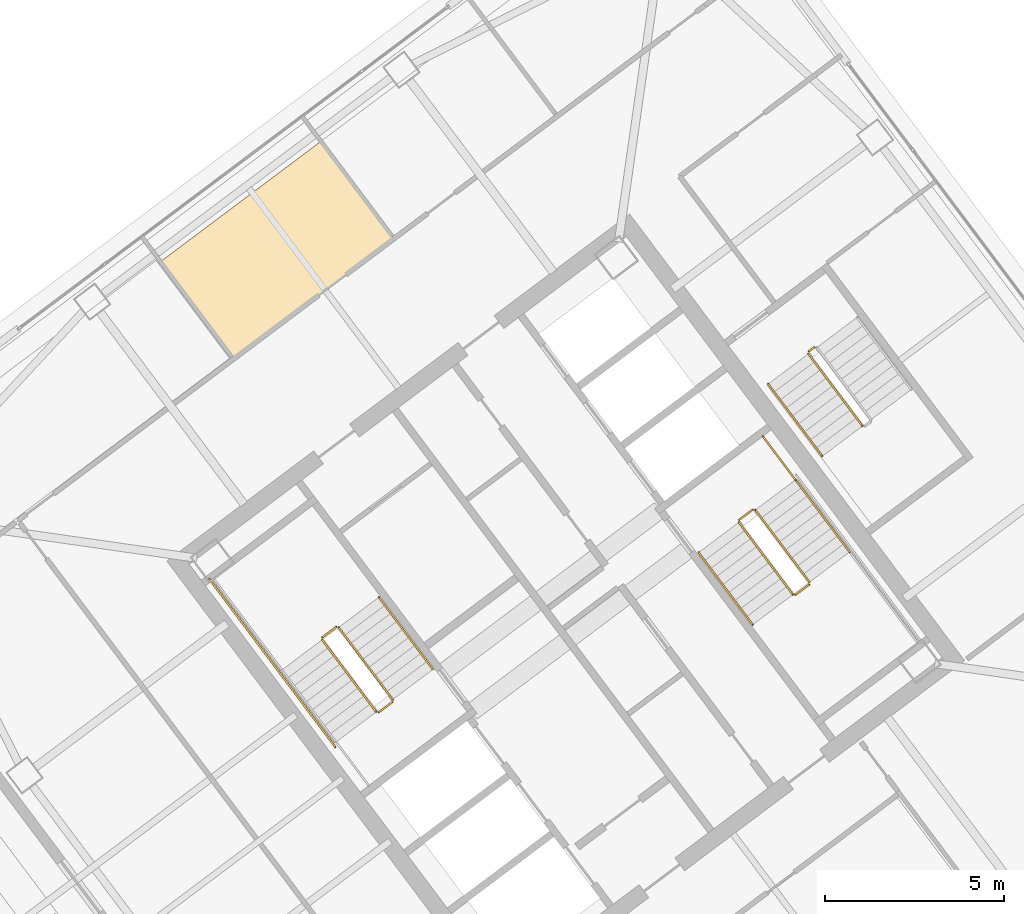
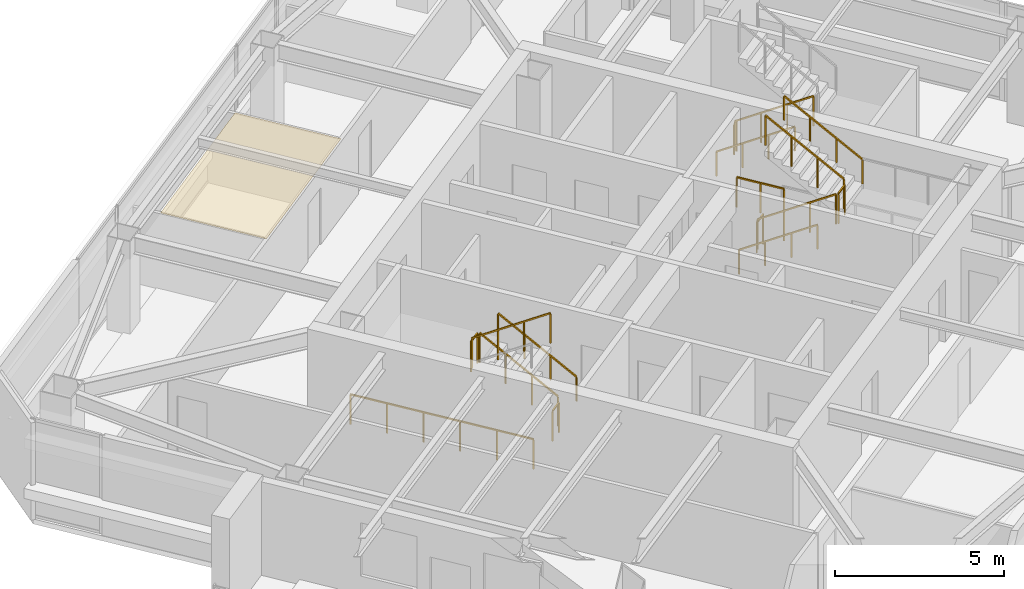
# One storey, part 37 of 40: 16 railings, 1 covering.
"""IFC4 building model written with IfcOpenShell, lengths in metres."""

from ifc_helpers import new_model, si_unit, direction, frame, origin, origin_2d, place, context, subcontext, project, spatial, polyline, rectangle, outline, extrude, material, layer, layer_set, type_object, element, save


model = new_model("IFC4")

# Units and contexts
model_context = context("Model", 3, precision=1e-05, world=origin(), true_north=direction((0.0, 1.0)))
body_context = subcontext(model_context, "Body", "Model", "MODEL_VIEW")
ifc_project = project(units=[si_unit("LENGTHUNIT", "METRE"), si_unit("AREAUNIT", "SQUARE_METRE"), si_unit("VOLUMEUNIT", "CUBIC_METRE"), si_unit("PLANEANGLEUNIT", "RADIAN"), si_unit("MASSUNIT", "GRAM", prefix="KILO")], contexts=[model_context])

# Site, building, storey
site_placement = place(None, origin())
site = spatial("IfcSite", under=ifc_project, at=site_placement, CompositionType="ELEMENT")
building_placement = place(site_placement, origin())
building = spatial("IfcBuilding", under=site, at=building_placement, Name="Tashvorn Skyway Center", CompositionType="ELEMENT")
storey_placement = place(building_placement, frame((0.0, 0.0, 221.949951171875)))
storey = spatial("IfcBuildingStorey", under=building, at=storey_placement, Name="L60", CompositionType="ELEMENT", Elevation=221.949951171875)

# Covering
ifc_material_1 = material(Name="Mineral-fibre acoustic ceiling tile on suspended grid")
ifc_layer = layer(ifc_material_1, 0.02001953125)
ifc_layer_set = layer_set([ifc_layer], Name="Mineral-fibre acoustic ceiling tile on suspended grid")
covering_type = type_object("IfcCoveringType", Name="COV-CEIL-20", PredefinedType="CEILING", material=ifc_layer_set)
covering_placement = place(storey_placement, frame((0.0, 0.0, 2.703125)))
element("IfcCovering", 1, at=covering_placement, inside=storey, type_object=covering_type, Name="Tower 2 L60 Research Library Acoustic Ceiling", PredefinedType="CEILING", context=body_context, shape_type="SweptSolid", body=[
    extrude(outline(polyline([(104.719970703125, 39.0400390625), (109.199951171875, 42.39990234375), (107.159912109375, 45.1201171875), (102.679931640625, 41.760009765625), (104.719970703125, 39.0400390625)])), origin(), (0.0, 0.0, 1.0), 0.02001953125),
])

# Railings
ifc_material_2 = material(Name="Brushed stainless steel 316", Category="steel")
railing_type_1 = type_object("IfcRailingType", Name="RAIL-HAND-920", PredefinedType="HANDRAIL", material=ifc_material_2)
railing_1_placement = place(storey_placement, frame((110.2880859375, 30.365966796875, 0.177490234375)))
element("IfcRailing", 2, at=railing_1_placement, inside=storey, type_object=railing_type_1, Name="L60 ST-T2-1 stair handrail 1", PredefinedType="HANDRAIL", context=body_context, shape_type="SweptSolid", body=[
    extrude(rectangle(XDim=0.048095703125, YDim=0.048095703125, at=origin_2d()), frame((0.0, 0.0, 0.8759765625), z_axis=(-0.506779409603, 0.675651334276, 0.53541563714), x_axis=(-0.799976749893, -0.600030998891, 0.0)), (0.0, 0.0, 1.0), 2.98388671875),
    extrude(rectangle(XDim=0.0419921875, YDim=0.0419921875, at=origin_2d()), origin(), (0.0, 0.0, 1.0), 0.851806640625),
    extrude(rectangle(XDim=0.0419921875, YDim=0.0419921875, at=origin_2d()), frame((-0.504150390625, 0.672119140625, 0.532470703125)), (0.0, 0.0, 1.0), 0.851806640625),
    extrude(rectangle(XDim=0.0419921875, YDim=0.0419921875, at=origin_2d()), frame((-1.008056640625, 1.343994140625, 1.065185546875)), (0.0, 0.0, 1.0), 0.851806640625),
    extrude(rectangle(XDim=0.0419921875, YDim=0.0419921875, at=origin_2d()), frame((-1.51220703125, 2.01611328125, 1.59765625)), (0.0, 0.0, 1.0), 0.851806640625),
])
railing_2_placement = place(storey_placement, frame((117.7119140625, 33.634033203125, 0.177490234375)))
element("IfcRailing", 3, at=railing_2_placement, inside=storey, type_object=railing_type_1, Name="L60 ST-T2-2 stair handrail 1", PredefinedType="HANDRAIL", context=body_context, shape_type="SweptSolid", body=[
    extrude(rectangle(XDim=0.048095703125, YDim=0.048095703125, at=origin_2d()), frame((0.0, 0.0, 0.8759765625), z_axis=(0.506779409603, -0.675651334276, 0.53541563714), x_axis=(0.799976749893, 0.600030998891, 0.0)), (0.0, 0.0, 1.0), 2.98388671875),
    extrude(rectangle(XDim=0.0419921875, YDim=0.0419921875, at=origin_2d()), origin(), (0.0, 0.0, 1.0), 0.851806640625),
    extrude(rectangle(XDim=0.0419921875, YDim=0.0419921875, at=origin_2d()), frame((0.504150390625, -0.672119140625, 0.532470703125)), (0.0, 0.0, 1.0), 0.851806640625),
    extrude(rectangle(XDim=0.0419921875, YDim=0.0419921875, at=origin_2d()), frame((1.008056640625, -1.343994140625, 1.065185546875)), (0.0, 0.0, 1.0), 0.851806640625),
    extrude(rectangle(XDim=0.0419921875, YDim=0.0419921875, at=origin_2d()), frame((1.51220703125, -2.01611328125, 1.59765625)), (0.0, 0.0, 1.0), 0.851806640625),
])
railing_3_placement = place(storey_placement, frame((121.927978515625, 33.64599609375, 1.95263671875)))
element("IfcRailing", 4, at=railing_3_placement, inside=storey, type_object=railing_type_1, Name="L60 ST-T2-2 stair handrail 2", PredefinedType="HANDRAIL", context=body_context, shape_type="SweptSolid", body=[
    extrude(rectangle(XDim=0.048095703125, YDim=0.048095703125, at=origin_2d()), frame((0.0, 0.0, 0.8759765625), z_axis=(-0.506740800098, 0.675708949977, 0.535379469569), x_axis=(-0.800023250257, -0.599968998406, 0.0)), (0.0, 0.0, 1.0), 2.983642578125),
    extrude(rectangle(XDim=0.0419921875, YDim=0.0419921875, at=origin_2d()), origin(), (0.0, 0.0, 1.0), 0.851806640625),
    extrude(rectangle(XDim=0.0419921875, YDim=0.0419921875, at=origin_2d()), frame((-0.50390625, 0.672119140625, 0.532470703125)), (0.0, 0.0, 1.0), 0.851806640625),
    extrude(rectangle(XDim=0.0419921875, YDim=0.0419921875, at=origin_2d()), frame((-1.008056640625, 1.343994140625, 1.06494140625)), (0.0, 0.0, 1.0), 0.851806640625),
    extrude(rectangle(XDim=0.0419921875, YDim=0.0419921875, at=origin_2d()), frame((-1.511962890625, 2.01611328125, 1.597412109375)), (0.0, 0.0, 1.0), 0.851806640625),
])
railing_4_placement = place(storey_placement, frame((119.656005859375, 38.342041015625, 0.177490234375)))
element("IfcRailing", 5, at=railing_4_placement, inside=storey, type_object=railing_type_1, Name="L60 ST-T2-3 stair handrail 1", PredefinedType="HANDRAIL", context=body_context, shape_type="SweptSolid", body=[
    extrude(rectangle(XDim=0.048095703125, YDim=0.048095703125, at=origin_2d()), frame((0.0, 0.0, 0.8759765625), z_axis=(0.506718600913, -0.675679348675, 0.535437836974), x_axis=(0.800023250257, 0.599968998406, 0.0)), (0.0, 0.0, 1.0), 2.98388671875),
    extrude(rectangle(XDim=0.0419921875, YDim=0.0419921875, at=origin_2d()), origin(), (0.0, 0.0, 1.0), 0.851806640625),
    extrude(rectangle(XDim=0.0419921875, YDim=0.0419921875, at=origin_2d()), frame((0.50390625, -0.672119140625, 0.532470703125)), (0.0, 0.0, 1.0), 0.851806640625),
    extrude(rectangle(XDim=0.0419921875, YDim=0.0419921875, at=origin_2d()), frame((1.008056640625, -1.343994140625, 1.065185546875)), (0.0, 0.0, 1.0), 0.851806640625),
    extrude(rectangle(XDim=0.0419921875, YDim=0.0419921875, at=origin_2d()), frame((1.511962890625, -2.01611328125, 1.59765625)), (0.0, 0.0, 1.0), 0.851806640625),
])
ifc_material_3 = material(Name="Painted galvanized steel S355", Category="steel")
railing_type_2 = type_object("IfcRailingType", Name="RAIL-STGUARD-1100", PredefinedType="GUARDRAIL", material=ifc_material_3)
railing_5_placement = place(storey_placement, frame((109.16796875, 29.52587890625, 0.177490234375)))
element("IfcRailing", 6, at=railing_5_placement, inside=storey, type_object=railing_type_2, Name="L60 ST-T2-1 stair guard 1", PredefinedType="GUARDRAIL", context=body_context, shape_type="SweptSolid", body=[
    extrude(rectangle(XDim=0.048095703125, YDim=0.048095703125, at=origin_2d()), frame((0.0, 0.0, 1.076171875), z_axis=(-0.506718600913, 0.675679348675, 0.535437836974), x_axis=(-0.800023250257, -0.599968998406, 0.0)), (0.0, 0.0, 1.0), 2.98388671875),
    extrude(rectangle(XDim=0.0419921875, YDim=0.0419921875, at=origin_2d()), origin(), (0.0, 0.0, 1.0), 1.052001953125),
    extrude(rectangle(XDim=0.0419921875, YDim=0.0419921875, at=origin_2d()), frame((-0.50390625, 0.672119140625, 0.532470703125)), (0.0, 0.0, 1.0), 1.052001953125),
    extrude(rectangle(XDim=0.0419921875, YDim=0.0419921875, at=origin_2d()), frame((-1.008056640625, 1.343994140625, 1.065185546875)), (0.0, 0.0, 1.0), 1.052001953125),
    extrude(rectangle(XDim=0.0419921875, YDim=0.0419921875, at=origin_2d()), frame((-1.511962890625, 2.01611328125, 1.59765625)), (0.0, 0.0, 1.0), 1.052001953125),
])
railing_6_placement = place(storey_placement, frame((107.5859375, 31.552001953125, 1.775146484375)))
element("IfcRailing", 7, at=railing_6_placement, inside=storey, type_object=railing_type_2, Name="L60 ST-T2-1 stair guard 2", PredefinedType="GUARDRAIL", context=body_context, shape_type="SweptSolid", body=[
    extrude(rectangle(XDim=0.048095703125, YDim=0.048095703125, at=origin_2d()), frame((0.0, 0.0, 1.076171875), z_axis=(-0.799938970639, -0.600081363861, 0.0), x_axis=(0.600081363861, -0.799938970639, 0.0)), (0.0, 0.0, 1.0), 0.47998046875),
    extrude(rectangle(XDim=0.0419921875, YDim=0.0419921875, at=origin_2d()), origin(), (0.0, 0.0, 1.0), 1.052001953125),
    extrude(rectangle(XDim=0.0419921875, YDim=0.0419921875, at=origin_2d()), frame((-0.384033203125, -0.2880859375, 0.0)), (0.0, 0.0, 1.0), 1.052001953125),
])
railing_7_placement = place(storey_placement, frame((107.19189453125, 31.194091796875, 1.95263671875)))
element("IfcRailing", 8, at=railing_7_placement, inside=storey, type_object=railing_type_2, Name="L60 ST-T2-1 stair guard 4", PredefinedType="GUARDRAIL", context=body_context, shape_type="SweptSolid", body=[
    extrude(rectangle(XDim=0.048095703125, YDim=0.048095703125, at=origin_2d()), frame((0.0, 0.0, 1.076171875), z_axis=(0.506801609611, -0.675680931896, 0.535357270211), x_axis=(0.799976749893, 0.600030998891, 0.0)), (0.0, 0.0, 1.0), 2.98388671875),
    extrude(rectangle(XDim=0.0419921875, YDim=0.0419921875, at=origin_2d()), origin(), (0.0, 0.0, 1.0), 1.052001953125),
    extrude(rectangle(XDim=0.0419921875, YDim=0.0419921875, at=origin_2d()), frame((0.504150390625, -0.672119140625, 0.532470703125)), (0.0, 0.0, 1.0), 1.052001953125),
    extrude(rectangle(XDim=0.0419921875, YDim=0.0419921875, at=origin_2d()), frame((1.008056640625, -1.343994140625, 1.06494140625)), (0.0, 0.0, 1.0), 1.052001953125),
    extrude(rectangle(XDim=0.0419921875, YDim=0.0419921875, at=origin_2d()), frame((1.51220703125, -2.01611328125, 1.597412109375)), (0.0, 0.0, 1.0), 1.052001953125),
])
railing_8_placement = place(storey_placement, frame((109.157958984375, 29.4560546875, 0.0)))
element("IfcRailing", 9, at=railing_8_placement, inside=storey, type_object=railing_type_2, Name="L60 ST-T2-1 stair guard 5", PredefinedType="GUARDRAIL", context=body_context, shape_type="SweptSolid", body=[
    extrude(rectangle(XDim=0.048095703125, YDim=0.048095703125, at=origin_2d()), frame((0.0, 0.0, 1.076171875), z_axis=(-0.799938970639, -0.600081363861, 0.0), x_axis=(0.600081363861, -0.799938970639, 0.0)), (0.0, 0.0, 1.0), 0.47998046875),
    extrude(rectangle(XDim=0.0419921875, YDim=0.0419921875, at=origin_2d()), origin(), (0.0, 0.0, 1.0), 1.052001953125),
    extrude(rectangle(XDim=0.0419921875, YDim=0.0419921875, at=origin_2d()), frame((-0.384033203125, -0.2880859375, 0.0)), (0.0, 0.0, 1.0), 1.052001953125),
])
railing_9_placement = place(storey_placement, frame((107.56396484375, 28.197998046875, 0.0)))
element("IfcRailing", 10, at=railing_9_placement, inside=storey, type_object=railing_type_2, Name="L60 ST-T2-1 stair guard 7", PredefinedType="GUARDRAIL", context=body_context, shape_type="SweptSolid", body=[
    extrude(rectangle(XDim=0.048095703125, YDim=0.048095703125, at=origin_2d()), frame((0.0, 0.0, 1.076171875), z_axis=(-0.6, 0.8, 0.0), x_axis=(-0.8, -0.6, 0.0)), (0.0, 0.0, 1.0), 5.880126953125),
    extrude(rectangle(XDim=0.0419921875, YDim=0.0419921875, at=origin_2d()), origin(), (0.0, 0.0, 1.0), 1.052001953125),
    extrude(rectangle(XDim=0.0419921875, YDim=0.0419921875, at=origin_2d()), frame((-0.70556640625, 0.94091796875, 0.0)), (0.0, 0.0, 1.0), 1.052001953125),
    extrude(rectangle(XDim=0.0419921875, YDim=0.0419921875, at=origin_2d()), frame((-1.4111328125, 1.881591796875, 0.0)), (0.0, 0.0, 1.0), 1.052001953125),
    extrude(rectangle(XDim=0.0419921875, YDim=0.0419921875, at=origin_2d()), frame((-2.116943359375, 2.822509765625, 0.0)), (0.0, 0.0, 1.0), 1.052001953125),
    extrude(rectangle(XDim=0.0419921875, YDim=0.0419921875, at=origin_2d()), frame((-2.822509765625, 3.76318359375, 0.0)), (0.0, 0.0, 1.0), 1.052001953125),
    extrude(rectangle(XDim=0.0419921875, YDim=0.0419921875, at=origin_2d()), frame((-3.528076171875, 4.7041015625, 0.0)), (0.0, 0.0, 1.0), 1.052001953125),
])
railing_10_placement = place(storey_placement, frame((118.83203125, 34.47412109375, 0.177490234375)))
element("IfcRailing", 11, at=railing_10_placement, inside=storey, type_object=railing_type_2, Name="L60 ST-T2-2 stair guard 1", PredefinedType="GUARDRAIL", context=body_context, shape_type="SweptSolid", body=[
    extrude(rectangle(XDim=0.048095703125, YDim=0.048095703125, at=origin_2d()), frame((0.0, 0.0, 1.076171875), z_axis=(0.506718600913, -0.675679348675, 0.535437836974), x_axis=(0.800023250257, 0.599968998406, 0.0)), (0.0, 0.0, 1.0), 2.98388671875),
    extrude(rectangle(XDim=0.0419921875, YDim=0.0419921875, at=origin_2d()), origin(), (0.0, 0.0, 1.0), 1.052001953125),
    extrude(rectangle(XDim=0.0419921875, YDim=0.0419921875, at=origin_2d()), frame((0.50390625, -0.672119140625, 0.532470703125)), (0.0, 0.0, 1.0), 1.052001953125),
    extrude(rectangle(XDim=0.0419921875, YDim=0.0419921875, at=origin_2d()), frame((1.008056640625, -1.343994140625, 1.065185546875)), (0.0, 0.0, 1.0), 1.052001953125),
    extrude(rectangle(XDim=0.0419921875, YDim=0.0419921875, at=origin_2d()), frame((1.511962890625, -2.01611328125, 1.59765625)), (0.0, 0.0, 1.0), 1.052001953125),
])
railing_11_placement = place(storey_placement, frame((120.4140625, 32.447998046875, 1.775146484375)))
element("IfcRailing", 12, at=railing_11_placement, inside=storey, type_object=railing_type_2, Name="L60 ST-T2-2 stair guard 2", PredefinedType="GUARDRAIL", context=body_context, shape_type="SweptSolid", body=[
    extrude(rectangle(XDim=0.048095703125, YDim=0.048095703125, at=origin_2d()), frame((0.0, 0.0, 1.076171875), z_axis=(0.799938970639, 0.600081363861, 0.0), x_axis=(-0.600081363861, 0.799938970639, 0.0)), (0.0, 0.0, 1.0), 0.47998046875),
    extrude(rectangle(XDim=0.0419921875, YDim=0.0419921875, at=origin_2d()), origin(), (0.0, 0.0, 1.0), 1.052001953125),
    extrude(rectangle(XDim=0.0419921875, YDim=0.0419921875, at=origin_2d()), frame((0.384033203125, 0.2880859375, 0.0)), (0.0, 0.0, 1.0), 1.052001953125),
])
railing_12_placement = place(storey_placement, frame((120.80810546875, 32.805908203125, 1.95263671875)))
element("IfcRailing", 13, at=railing_12_placement, inside=storey, type_object=railing_type_2, Name="L60 ST-T2-2 stair guard 4", PredefinedType="GUARDRAIL", context=body_context, shape_type="SweptSolid", body=[
    extrude(rectangle(XDim=0.048095703125, YDim=0.048095703125, at=origin_2d()), frame((0.0, 0.0, 1.076171875), z_axis=(-0.506801609611, 0.675680931896, 0.535357270211), x_axis=(-0.799976749893, -0.600030998891, 0.0)), (0.0, 0.0, 1.0), 2.98388671875),
    extrude(rectangle(XDim=0.0419921875, YDim=0.0419921875, at=origin_2d()), origin(), (0.0, 0.0, 1.0), 1.052001953125),
    extrude(rectangle(XDim=0.0419921875, YDim=0.0419921875, at=origin_2d()), frame((-0.504150390625, 0.672119140625, 0.532470703125)), (0.0, 0.0, 1.0), 1.052001953125),
    extrude(rectangle(XDim=0.0419921875, YDim=0.0419921875, at=origin_2d()), frame((-1.008056640625, 1.343994140625, 1.06494140625)), (0.0, 0.0, 1.0), 1.052001953125),
    extrude(rectangle(XDim=0.0419921875, YDim=0.0419921875, at=origin_2d()), frame((-1.51220703125, 2.01611328125, 1.597412109375)), (0.0, 0.0, 1.0), 1.052001953125),
])
railing_13_placement = place(storey_placement, frame((118.842041015625, 34.5439453125, 0.0)))
element("IfcRailing", 14, at=railing_13_placement, inside=storey, type_object=railing_type_2, Name="L60 ST-T2-2 stair guard 5", PredefinedType="GUARDRAIL", context=body_context, shape_type="SweptSolid", body=[
    extrude(rectangle(XDim=0.048095703125, YDim=0.048095703125, at=origin_2d()), frame((0.0, 0.0, 1.076171875), z_axis=(0.799938970639, 0.600081363861, 0.0), x_axis=(-0.600081363861, 0.799938970639, 0.0)), (0.0, 0.0, 1.0), 0.47998046875),
    extrude(rectangle(XDim=0.0419921875, YDim=0.0419921875, at=origin_2d()), origin(), (0.0, 0.0, 1.0), 1.052001953125),
    extrude(rectangle(XDim=0.0419921875, YDim=0.0419921875, at=origin_2d()), frame((0.384033203125, 0.2880859375, 0.0)), (0.0, 0.0, 1.0), 1.052001953125),
])
railing_14_placement = place(storey_placement, frame((119.50390625, 36.8779296875, 0.0)))
element("IfcRailing", 15, at=railing_14_placement, inside=storey, type_object=railing_type_2, Name="L60 ST-T2-2 stair guard 6", PredefinedType="GUARDRAIL", context=body_context, shape_type="SweptSolid", body=[
    extrude(rectangle(XDim=0.048095703125, YDim=0.048095703125, at=origin_2d()), frame((0.0, 0.0, 1.076171875), z_axis=(0.600102796382, -0.799922892393, 0.0), x_axis=(0.799922892393, 0.600102796382, 0.0)), (0.0, 0.0, 1.0), 1.52001953125),
    extrude(rectangle(XDim=0.0419921875, YDim=0.0419921875, at=origin_2d()), origin(), (0.0, 0.0, 1.0), 1.052001953125),
    extrude(rectangle(XDim=0.0419921875, YDim=0.0419921875, at=origin_2d()), frame((0.4560546875, -0.60791015625, 0.0)), (0.0, 0.0, 1.0), 1.052001953125),
    extrude(rectangle(XDim=0.0419921875, YDim=0.0419921875, at=origin_2d()), frame((0.912109375, -1.2158203125, 0.0)), (0.0, 0.0, 1.0), 1.052001953125),
])
railing_15_placement = place(storey_placement, frame((120.77587890625, 39.181884765625, 0.177490234375)))
element("IfcRailing", 16, at=railing_15_placement, inside=storey, type_object=railing_type_2, Name="L60 ST-T2-3 stair guard 1", PredefinedType="GUARDRAIL", context=body_context, shape_type="SweptSolid", body=[
    extrude(rectangle(XDim=0.048095703125, YDim=0.048095703125, at=origin_2d()), frame((0.0, 0.0, 1.076171875), z_axis=(0.506807425148, -0.675606863004, 0.535445235739), x_axis=(0.799941867976, 0.600077501544, 0.0)), (0.0, 0.0, 1.0), 2.98388671875),
    extrude(rectangle(XDim=0.0419921875, YDim=0.0419921875, at=origin_2d()), origin(), (0.0, 0.0, 1.0), 1.052001953125),
    extrude(rectangle(XDim=0.0419921875, YDim=0.0419921875, at=origin_2d()), frame((0.504150390625, -0.671875, 0.532470703125)), (0.0, 0.0, 1.0), 1.052001953125),
    extrude(rectangle(XDim=0.0419921875, YDim=0.0419921875, at=origin_2d()), frame((1.008056640625, -1.343994140625, 1.065185546875)), (0.0, 0.0, 1.0), 1.052001953125),
    extrude(rectangle(XDim=0.0419921875, YDim=0.0419921875, at=origin_2d()), frame((1.51220703125, -2.015869140625, 1.59765625)), (0.0, 0.0, 1.0), 1.052001953125),
])
railing_16_placement = place(storey_placement, frame((120.785888671875, 39.251953125, 0.0)))
element("IfcRailing", 17, at=railing_16_placement, inside=storey, type_object=railing_type_2, Name="L60 ST-T2-3 stair guard 4", PredefinedType="GUARDRAIL", context=body_context, shape_type="SweptSolid", body=[
    extrude(rectangle(XDim=0.048095703125, YDim=0.048095703125, at=origin_2d()), frame((0.0, 0.0, 1.076171875), z_axis=(0.8, 0.6, 0.0), x_axis=(-0.6, 0.8, 0.0)), (0.0, 0.0, 1.0), 0.2001953125),
    extrude(rectangle(XDim=0.0419921875, YDim=0.0419921875, at=origin_2d()), origin(), (0.0, 0.0, 1.0), 1.052001953125),
    extrude(rectangle(XDim=0.0419921875, YDim=0.0419921875, at=origin_2d()), frame((0.16015625, 0.1201171875, 0.0)), (0.0, 0.0, 1.0), 1.052001953125),
])

save(model, "model.ifc")
